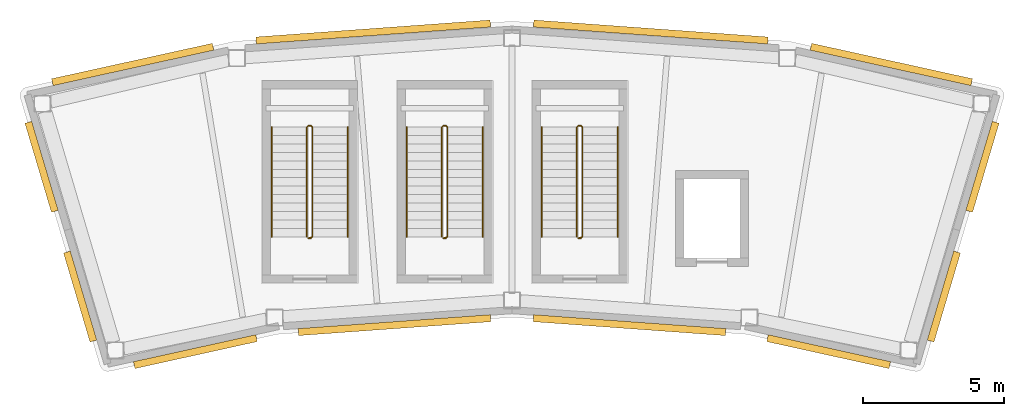
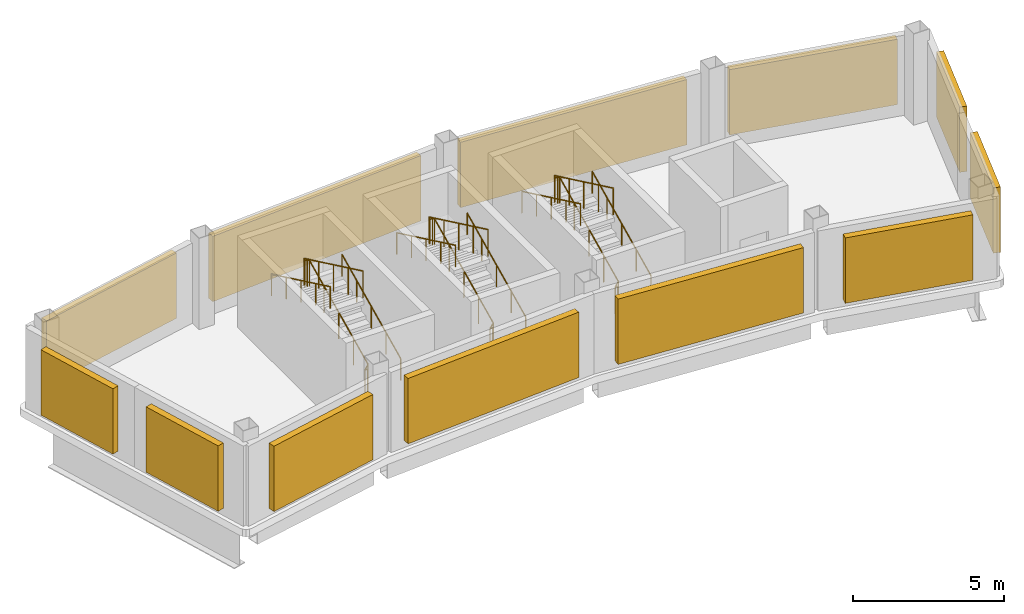
# One storey, part 3 of 3: 12 shading devices, 9 railings.
"""IFC4 building model written with IfcOpenShell, lengths in metres."""

import ifcopenshell
import ifcopenshell.guid

model = None  # the IFC model being written
_history = None  # IfcOwnerHistory: only IFC2X3 demands one
_inside = {}  # id of a spatial element -> (the spatial element, [elements in it])
_under = {}  # id of a project, library or spatial element -> (it, [spatial elements below it])
_declared = {}  # id of a project -> (the project, [libraries it declares])
_typed = {}  # id of a type object -> (the type object, [elements of that type])
_made_of = {}  # id of a material, layer set ... -> (it, [elements and type objects made of it])


def new_model(schema):
    """Start an empty IFC model of exactly this schema.

    Asked for "IFC4X3", IfcOpenShell would pick the latest addendum, in which some entities
    have other attributes; the version numbers below select the first issue.
    IFC2X3 requires an IfcOwnerHistory on every rooted entity: one is made here for all.
    """
    global model, _history
    if schema == "IFC4X3":
        model = ifcopenshell.file(schema_version=(4, 3, 0, 0))
    else:
        model = ifcopenshell.file(schema=schema)
    _inside.clear()
    _under.clear()
    _declared.clear()
    _typed.clear()
    _made_of.clear()
    _history = None
    if model.schema == "IFC2X3":
        org = make("IfcOrganization", Name="unknown")
        user = make(
            "IfcPersonAndOrganization",
            ThePerson=make("IfcPerson", FamilyName="unknown"),
            TheOrganization=org,
        )
        app = make(
            "IfcApplication",
            ApplicationDeveloper=org,
            Version="unknown",
            ApplicationFullName="unknown",
            ApplicationIdentifier="unknown",
        )
        _history = make(
            "IfcOwnerHistory",
            OwningUser=user,
            OwningApplication=app,
            ChangeAction="ADDED",
            CreationDate=0,
        )
    return model


def make(cls, **values):
    """One entity of the class cls with the attributes given. An attribute that is None is left unset."""
    return model.create_entity(
        cls, **{name: value for name, value in values.items() if value is not None}
    )


def rooted(cls, **values):
    """An entity with a GlobalId (a new one), such as an element, a storey or a relation."""
    return make(cls, GlobalId=ifcopenshell.guid.new(), OwnerHistory=_history, **values)


def si_unit(unit_type, name, prefix=None):
    """IfcSIUnit, for example si_unit("LENGTHUNIT", "METRE", prefix="MILLI")."""
    return make("IfcSIUnit", UnitType=unit_type, Prefix=prefix, Name=name)


def assignment(units):
    """IfcUnitAssignment: the units of a project."""
    return None if units is None else make("IfcUnitAssignment", Units=units)


def point(xyz):
    """IfcCartesianPoint."""
    return None if xyz is None else make("IfcCartesianPoint", Coordinates=xyz)


def direction(xyz):
    """IfcDirection."""
    return None if xyz is None else make("IfcDirection", DirectionRatios=xyz)


def frame(location, z_axis=None, x_axis=None):
    """IfcAxis2Placement3D, a coordinate frame: its origin and axes. An axis left out is left unset."""
    return make(
        "IfcAxis2Placement3D",
        Location=point(location),
        Axis=direction(z_axis),
        RefDirection=direction(x_axis),
    )


def frame_2d(location, x_axis=None):
    """IfcAxis2Placement2D, a coordinate frame in the plane: its origin and x axis."""
    return make(
        "IfcAxis2Placement2D", Location=point(location), RefDirection=direction(x_axis)
    )


def origin():
    """The frame at (0, 0, 0) with its axes left unset."""
    return frame((0.0, 0.0, 0.0))


def origin_2d():
    """The frame at (0, 0) in the plane with its x axis left unset."""
    return frame_2d((0.0, 0.0))


def place(relative_to, where):
    """IfcLocalPlacement: puts the frame where relative to a parent placement (None: the world)."""
    return make(
        "IfcLocalPlacement", PlacementRelTo=relative_to, RelativePlacement=where
    )


def context(
    kind, dimensions, precision=None, world=None, true_north=None, identifier=None
):
    """IfcGeometricRepresentationContext, for example the 3D "Model" context."""
    return make(
        "IfcGeometricRepresentationContext",
        ContextIdentifier=identifier,
        ContextType=kind,
        CoordinateSpaceDimension=dimensions,
        Precision=precision,
        WorldCoordinateSystem=world,
        TrueNorth=true_north,
    )


def subcontext(parent, identifier, kind, view, scale=None):
    """IfcGeometricRepresentationSubContext, for example "Body" below "Model"."""
    return make(
        "IfcGeometricRepresentationSubContext",
        ContextIdentifier=identifier,
        ContextType=kind,
        ParentContext=parent,
        TargetScale=scale,
        TargetView=view,
    )


def project(units=None, contexts=None):
    """IfcProject with its units and contexts."""
    return rooted(
        "IfcProject",
        Name="project",
        RepresentationContexts=contexts,
        UnitsInContext=assignment(units),
    )


def spatial(cls, under=None, at=None, **own):
    """A site, building, storey or space (cls), placed at a placement, below another one or the project."""
    s = rooted(cls, ObjectPlacement=at, **own)
    if under is not None:
        _under.setdefault(under.id(), (under, []))[1].append(s)
    return s


def profile(cls, at=None, kind="AREA", **sizes):
    """A parametric profile (cls). Its sizes go by their IFC names, for example OverallWidth=200.0."""
    return make(cls, ProfileType=kind, Position=at, **sizes)


def rectangle(**sizes):
    """IfcRectangleProfileDef."""
    return profile("IfcRectangleProfileDef", **sizes)


def circle(**sizes):
    """IfcCircleProfileDef."""
    return profile("IfcCircleProfileDef", **sizes)


def extrude(swept, where, along, depth):
    """IfcExtrudedAreaSolid: the profile swept, set in the frame where, extruded along a direction by depth."""
    return make(
        "IfcExtrudedAreaSolid",
        SweptArea=swept,
        Position=where,
        ExtrudedDirection=direction(along),
        Depth=depth,
    )


def shape(context_of_items, identifier, shape_type, items):
    """IfcShapeRepresentation: the items that make up one representation, for example the "Body"."""
    return make(
        "IfcShapeRepresentation",
        ContextOfItems=context_of_items,
        RepresentationIdentifier=identifier,
        RepresentationType=shape_type,
        Items=items,
    )


def material(Name=None, Category=None):
    """IfcMaterial."""
    return make("IfcMaterial", Name=Name, Category=Category)


def made_of(thing, what):
    """Note that an element or type object is made of a material, layer set ...; save() writes the relation."""
    if what is not None:
        _made_of.setdefault(what.id(), (what, []))[1].append(thing)
    return thing


def type_object(cls, material=None, **own):
    """A type object (cls), such as IfcWallType, which elements share."""
    return made_of(rooted(cls, **own), material)


def element(
    cls,
    number,
    at=None,
    inside=None,
    cuts=None,
    type_object=None,
    material=None,
    context=None,
    identifier="Body",
    shape_type=None,
    held_by="IfcProductDefinitionShape",
    body=None,
    shapes=None,
    **own,
):
    """One element of the class cls, such as IfcWall. Its Tag is "e" and its number.

    at: its placement. inside: the storey or other place that contains it. cuts: it is an
    opening in that element (IfcRelVoidsElement). A single representation is given by context,
    identifier, shape_type and body (its items); several are given by shapes. held_by: the class
    of the entity that holds the representations. save() writes the other relations.
    """
    e = rooted(cls, Tag="e%d" % number, ObjectPlacement=at, **own)
    if body is not None:
        shapes = [shape(context, identifier, shape_type, body)]
    if shapes is not None:
        e.Representation = make(held_by, Representations=shapes)
    if inside is not None:
        _inside.setdefault(inside.id(), (inside, []))[1].append(e)
    if cuts is not None:
        rooted(
            "IfcRelVoidsElement", RelatingBuildingElement=cuts, RelatedOpeningElement=e
        )
    if type_object is not None:
        _typed.setdefault(type_object.id(), (type_object, []))[1].append(e)
    return made_of(e, material)


def aggregate(whole, parts):
    """IfcRelAggregates: a whole, such as a stair, and the parts it consists of."""
    return rooted("IfcRelAggregates", RelatingObject=whole, RelatedObjects=parts)


def save(model, path):
    """Write the relations noted so far, then the file.

    IfcRelAggregates (storeys below a building ...), IfcRelContainedInSpatialStructure (elements
    in a storey), IfcRelDefinesByType, IfcRelAssociatesMaterial and IfcRelDeclares: one each for
    every whole, place, type object, material and project.
    """
    for whole, parts in _under.values():
        aggregate(whole, parts)
    for where, things in _inside.values():
        rooted(
            "IfcRelContainedInSpatialStructure",
            RelatedElements=things,
            RelatingStructure=where,
        )
    for kind, things in _typed.values():
        rooted("IfcRelDefinesByType", RelatedObjects=things, RelatingType=kind)
    for what, things in _made_of.values():
        rooted("IfcRelAssociatesMaterial", RelatedObjects=things, RelatingMaterial=what)
    for by, libraries in _declared.values():
        rooted("IfcRelDeclares", RelatingContext=by, RelatedDefinitions=libraries)
    model.write(path)


model = new_model("IFC4")

# Units and contexts
model_context = context("Model", 3, precision=1e-05, world=origin(), true_north=direction((0.0, 1.0)))
body_context = subcontext(model_context, "Body", "Model", "MODEL_VIEW")
ifc_project = project(units=[si_unit("LENGTHUNIT", "METRE"), si_unit("AREAUNIT", "SQUARE_METRE"), si_unit("VOLUMEUNIT", "CUBIC_METRE"), si_unit("PLANEANGLEUNIT", "RADIAN"), si_unit("MASSUNIT", "GRAM", prefix="KILO")], contexts=[model_context])

# Site, building, storey
site_placement = place(None, origin())
site = spatial("IfcSite", under=ifc_project, at=site_placement, CompositionType="ELEMENT")
building_placement = place(site_placement, origin())
building = spatial("IfcBuilding", under=site, at=building_placement, Name="Tuul Gate Civic Tower", CompositionType="ELEMENT")
storey_placement = place(building_placement, frame((0.0, 0.0, 380.10009765625)))
storey = spatial("IfcBuildingStorey", under=building, at=storey_placement, Name="Crown tier 3 upper", CompositionType="ELEMENT", Elevation=380.10009765625)

# Shading devices
ifc_material_1 = material(Name="Aluminium louvre", Category="aluminium")
shading_device_type = type_object("IfcShadingDeviceType", Name="Louvre panel", PredefinedType="USERDEFINED", material=ifc_material_1)
shading_device_1_placement = place(storey_placement, frame((15.677490234375, 6.8759765625, 0.300048828125), z_axis=(0.0, 0.0, 1.0), x_axis=(0.215297760919, 0.97654844946, 0.0)))
element("IfcShadingDevice", 1, at=shading_device_1_placement, inside=storey, type_object=shading_device_type, Name="Louvre panel", ObjectType="LOUVRE", PredefinedType="USERDEFINED", context=body_context, shape_type="SweptSolid", body=[
    extrude(rectangle(XDim=0.25, YDim=5.85009765625, at=origin_2d()), origin(), (0.0, 0.0, 1.0), 2.64990234375),
])
for number, where, z_axis, x_axis, name in (
    (2, (7.125, 8.03125, 0.300048828125), (0.0, 0.0, 1.0), (0.072211474614, 0.997389343704, 0.0), "Louvre panel"),
    (3, (-2.740966796875, 8.03125, 0.300048828125), (0.0, 0.0, 1.0), (-0.072211474614, 0.997389343704, 0.0), "Louvre panel"),
):
    element("IfcShadingDevice", number, at=place(storey_placement, frame(where, z_axis=z_axis, x_axis=x_axis)), inside=storey, type_object=shading_device_type, Name=name, ObjectType="LOUVRE", PredefinedType="USERDEFINED", context=body_context, shape_type="SweptSolid", body=[
        extrude(rectangle(XDim=0.25, YDim=8.35009765625, at=origin_2d()), origin(), (0.0, 0.0, 1.0), 2.64990234375),
    ])
shading_device_2_placement = place(storey_placement, frame((-11.29345703125, 6.8759765625, 0.300048828125), z_axis=(0.0, 0.0, 1.0), x_axis=(-0.215297760919, 0.97654844946, 0.0)))
element("IfcShadingDevice", 4, at=shading_device_2_placement, inside=storey, type_object=shading_device_type, Name="Louvre panel", ObjectType="LOUVRE", PredefinedType="USERDEFINED", context=body_context, shape_type="SweptSolid", body=[
    extrude(rectangle(XDim=0.25, YDim=5.85009765625, at=origin_2d()), origin(), (0.0, 0.0, 1.0), 2.64990234375),
])
for number, where, z_axis, x_axis, name in (
    (5, (-14.533447265625, 3.23779296875, 0.300048828125), (0.0, 0.0, 1.0), (-0.95847574458, -0.285174064481, 0.0), "Louvre panel"),
    (6, (-13.1611328125, -1.375244140625, 0.300048828125), (0.0, 0.0, 1.0), (-0.95847574458, -0.285174064481, 0.0), "Louvre panel"),
):
    element("IfcShadingDevice", number, at=place(storey_placement, frame(where, z_axis=z_axis, x_axis=x_axis)), inside=storey, type_object=shading_device_type, Name=name, ObjectType="LOUVRE", PredefinedType="USERDEFINED", context=body_context, shape_type="SweptSolid", body=[
        extrude(rectangle(XDim=0.25, YDim=3.300048828125, at=origin_2d()), origin(), (0.0, 0.0, 1.0), 2.64990234375),
    ])
shading_device_3_placement = place(storey_placement, frame((-9.065673828125, -3.33349609375, 0.300048828125), z_axis=(0.0, 0.0, 1.0), x_axis=(0.215242614215, -0.976560605916, 0.0)))
element("IfcShadingDevice", 7, at=shading_device_3_placement, inside=storey, type_object=shading_device_type, Name="Louvre panel", ObjectType="LOUVRE", PredefinedType="USERDEFINED", context=body_context, shape_type="SweptSolid", body=[
    extrude(rectangle(XDim=0.25, YDim=4.449951171875, at=origin_2d()), origin(), (0.0, 0.0, 1.0), 2.64990234375),
])
for number, where, z_axis, x_axis, name in (
    (8, (-1.986083984375, -2.3916015625, 0.300048828125), (0.0, 0.0, 1.0), (0.072178099624, -0.997391759508, 0.0), "Louvre panel"),
    (9, (6.369873046875, -2.3916015625, 0.300048828125), (0.0, 0.0, 1.0), (-0.072178099624, -0.997391759508, 0.0), "Louvre panel"),
):
    element("IfcShadingDevice", number, at=place(storey_placement, frame(where, z_axis=z_axis, x_axis=x_axis)), inside=storey, type_object=shading_device_type, Name=name, ObjectType="LOUVRE", PredefinedType="USERDEFINED", context=body_context, shape_type="SweptSolid", body=[
        extrude(rectangle(XDim=0.25, YDim=6.85009765625, at=origin_2d()), origin(), (0.0, 0.0, 1.0), 2.64990234375),
    ])
shading_device_4_placement = place(storey_placement, frame((13.44970703125, -3.33349609375, 0.300048828125), z_axis=(0.0, 0.0, 1.0), x_axis=(-0.215242614215, -0.976560605916, 0.0)))
element("IfcShadingDevice", 10, at=shading_device_4_placement, inside=storey, type_object=shading_device_type, Name="Louvre panel", ObjectType="LOUVRE", PredefinedType="USERDEFINED", context=body_context, shape_type="SweptSolid", body=[
    extrude(rectangle(XDim=0.25, YDim=4.449951171875, at=origin_2d()), origin(), (0.0, 0.0, 1.0), 2.64990234375),
])
for number, where, z_axis, x_axis, name in (
    (11, (17.545166015625, -1.375244140625, 0.300048828125), (0.0, 0.0, 1.0), (0.95847574458, -0.285174064481, 0.0), "Louvre panel"),
    (12, (18.91748046875, 3.23779296875, 0.300048828125), (0.0, 0.0, 1.0), (0.95847574458, -0.285174064481, 0.0), "Louvre panel"),
):
    element("IfcShadingDevice", number, at=place(storey_placement, frame(where, z_axis=z_axis, x_axis=x_axis)), inside=storey, type_object=shading_device_type, Name=name, ObjectType="LOUVRE", PredefinedType="USERDEFINED", context=body_context, shape_type="SweptSolid", body=[
        extrude(rectangle(XDim=0.25, YDim=3.300048828125, at=origin_2d()), origin(), (0.0, 0.0, 1.0), 2.64990234375),
    ])

# Railings
ifc_material_2 = material(Name="Painted steel", Category="steel")
railing_type_1 = type_object("IfcRailingType", Name="Stair guard", PredefinedType="GUARDRAIL", material=ifc_material_2)
railing_1_placement = place(storey_placement, frame((-4.949951171875, 0.699951171875, 0.0)))
element("IfcRailing", 13, at=railing_1_placement, inside=storey, type_object=railing_type_1, Name="Crown tier 3 upper ST-5 stair guard 1", PredefinedType="GUARDRAIL", context=body_context, shape_type="SweptSolid", body=[
    extrude(circle(Radius=0.02392578125, at=origin_2d()), frame((0.0, 0.0, 1.076171875), z_axis=(-1.0, 0.0, 0.0), x_axis=(0.0, -1.0, 0.0)), (0.0, 0.0, 1.0), 0.10009765625),
    extrude(circle(Radius=0.02392578125, at=origin_2d()), frame((-0.10009765625, 0.0, 1.076171875), z_axis=(0.704307497325, 0.234769165775, 0.669951034041), x_axis=(-0.316227766017, 0.948683298051, 0.0)), (0.0, 0.0, 1.0), 0.213134765625),
    extrude(circle(Radius=0.02392578125, at=origin_2d()), frame((0.050048828125, 0.050048828125, 1.21875), z_axis=(0.0, 0.902853205547, 0.429948937937), x_axis=(-1.0, 0.0, 0.0)), (0.0, 0.0, 1.0), 4.319580078125),
    extrude(circle(Radius=0.02392578125, at=origin_2d()), frame((0.050048828125, 3.949951171875, 3.076171875), z_axis=(-0.707106781187, 0.707106781187, 0.0), x_axis=(-0.707106781187, -0.707106781187, 0.0)), (0.0, 0.0, 1.0), 0.07080078125),
    extrude(circle(Radius=0.02392578125, at=origin_2d()), frame((0.0, 4.0, 3.076171875), z_axis=(-1.0, 0.0, 0.0), x_axis=(0.0, -1.0, 0.0)), (0.0, 0.0, 1.0), 0.10009765625),
    extrude(circle(Radius=0.02392578125, at=origin_2d()), frame((-0.10009765625, 4.0, 3.076171875), z_axis=(-0.313985020601, -0.313985020601, 0.896006034397), x_axis=(0.707106781187, -0.707106781187, 0.0)), (0.0, 0.0, 1.0), 0.159423828125),
    extrude(circle(Radius=0.02392578125, at=origin_2d()), frame((-0.150146484375, 3.949951171875, 3.21875), z_axis=(0.0, -0.902853205547, 0.429948937937), x_axis=(1.0, 0.0, 0.0)), (0.0, 0.0, 1.0), 4.319580078125),
    extrude(circle(Radius=0.02099609375, at=origin_2d()), origin(), (0.0, 0.0, 1.0), 1.052001953125),
    extrude(circle(Radius=0.02099609375, at=origin_2d()), frame((-0.10009765625, 0.0, 0.0)), (0.0, 0.0, 1.0), 1.052001953125),
    extrude(circle(Radius=0.02099609375, at=origin_2d()), frame((0.050048828125, 0.050048828125, 0.142822265625)), (0.0, 0.0, 1.0), 1.052001953125),
    extrude(circle(Radius=0.02099609375, at=origin_2d()), frame((0.050048828125, 1.02490234375, 0.607177734375)), (0.0, 0.0, 1.0), 1.052001953125),
    extrude(circle(Radius=0.02099609375, at=origin_2d()), frame((0.050048828125, 2.0, 1.0712890625)), (0.0, 0.0, 1.0), 1.052001953125),
    extrude(circle(Radius=0.02099609375, at=origin_2d()), frame((0.050048828125, 2.97509765625, 1.53564453125)), (0.0, 0.0, 1.0), 1.052001953125),
    extrude(circle(Radius=0.02099609375, at=origin_2d()), frame((0.050048828125, 3.949951171875, 2.0)), (0.0, 0.0, 1.0), 1.052001953125),
    extrude(circle(Radius=0.02099609375, at=origin_2d()), frame((0.0, 4.0, 2.0)), (0.0, 0.0, 1.0), 1.052001953125),
    extrude(circle(Radius=0.02099609375, at=origin_2d()), frame((-0.10009765625, 4.0, 2.0)), (0.0, 0.0, 1.0), 1.052001953125),
    extrude(circle(Radius=0.02099609375, at=origin_2d()), frame((-0.150146484375, 3.949951171875, 2.142822265625)), (0.0, 0.0, 1.0), 1.052001953125),
    extrude(circle(Radius=0.02099609375, at=origin_2d()), frame((-0.150146484375, 2.97509765625, 2.607177734375)), (0.0, 0.0, 1.0), 1.052001953125),
    extrude(circle(Radius=0.02099609375, at=origin_2d()), frame((-0.150146484375, 2.0, 3.0712890625)), (0.0, 0.0, 1.0), 1.052001953125),
    extrude(circle(Radius=0.02099609375, at=origin_2d()), frame((-0.150146484375, 1.02490234375, 3.53564453125)), (0.0, 0.0, 1.0), 1.052001953125),
    extrude(circle(Radius=0.02099609375, at=origin_2d()), frame((-0.150146484375, 0.050048828125, 4.0)), (0.0, 0.0, 1.0), 1.052001953125),
])
railing_2_placement = place(storey_placement, frame((-0.14990234375, 0.699951171875, 0.0)))
element("IfcRailing", 14, at=railing_2_placement, inside=storey, type_object=railing_type_1, Name="Crown tier 3 upper ST-6 stair guard 1", PredefinedType="GUARDRAIL", context=body_context, shape_type="SweptSolid", body=[
    extrude(circle(Radius=0.02392578125, at=origin_2d()), frame((0.0, 0.0, 1.076171875), z_axis=(-1.0, 0.0, 0.0), x_axis=(0.0, -1.0, 0.0)), (0.0, 0.0, 1.0), 0.10009765625),
    extrude(circle(Radius=0.02392578125, at=origin_2d()), frame((-0.10009765625, 0.0, 1.076171875), z_axis=(0.703729666097, 0.234958601873, 0.670491619978), x_axis=(-0.316691178788, 0.948528701346, 0.0)), (0.0, 0.0, 1.0), 0.212890625),
    extrude(circle(Radius=0.02392578125, at=origin_2d()), frame((0.0498046875, 0.050048828125, 1.21875), z_axis=(0.0, 0.902853205547, 0.429948937937), x_axis=(-1.0, 0.0, 0.0)), (0.0, 0.0, 1.0), 4.319580078125),
    extrude(circle(Radius=0.02392578125, at=origin_2d()), frame((0.0498046875, 3.949951171875, 3.076171875), z_axis=(-0.705375805398, 0.708833529934, 0.0), x_axis=(-0.708833529934, -0.705375805398, 0.0)), (0.0, 0.0, 1.0), 0.070556640625),
    extrude(circle(Radius=0.02392578125, at=origin_2d()), frame((0.0, 4.0, 3.076171875), z_axis=(-1.0, 0.0, 0.0), x_axis=(0.0, -1.0, 0.0)), (0.0, 0.0, 1.0), 0.10009765625),
    extrude(circle(Radius=0.02392578125, at=origin_2d()), frame((-0.10009765625, 4.0, 3.076171875), z_axis=(-0.313985020601, -0.313985020601, 0.896006034397), x_axis=(0.707106781187, -0.707106781187, 0.0)), (0.0, 0.0, 1.0), 0.159423828125),
    extrude(circle(Radius=0.02392578125, at=origin_2d()), frame((-0.150146484375, 3.949951171875, 3.21875), z_axis=(0.0, -0.902853205547, 0.429948937937), x_axis=(1.0, 0.0, 0.0)), (0.0, 0.0, 1.0), 4.319580078125),
    extrude(circle(Radius=0.02099609375, at=origin_2d()), origin(), (0.0, 0.0, 1.0), 1.052001953125),
    extrude(circle(Radius=0.02099609375, at=origin_2d()), frame((-0.10009765625, 0.0, 0.0)), (0.0, 0.0, 1.0), 1.052001953125),
    extrude(circle(Radius=0.02099609375, at=origin_2d()), frame((0.0498046875, 0.050048828125, 0.142822265625)), (0.0, 0.0, 1.0), 1.052001953125),
    extrude(circle(Radius=0.02099609375, at=origin_2d()), frame((0.0498046875, 1.02490234375, 0.607177734375)), (0.0, 0.0, 1.0), 1.052001953125),
    extrude(circle(Radius=0.02099609375, at=origin_2d()), frame((0.0498046875, 2.0, 1.0712890625)), (0.0, 0.0, 1.0), 1.052001953125),
    extrude(circle(Radius=0.02099609375, at=origin_2d()), frame((0.0498046875, 2.97509765625, 1.53564453125)), (0.0, 0.0, 1.0), 1.052001953125),
    extrude(circle(Radius=0.02099609375, at=origin_2d()), frame((0.0498046875, 3.949951171875, 2.0)), (0.0, 0.0, 1.0), 1.052001953125),
    extrude(circle(Radius=0.02099609375, at=origin_2d()), frame((0.0, 4.0, 2.0)), (0.0, 0.0, 1.0), 1.052001953125),
    extrude(circle(Radius=0.02099609375, at=origin_2d()), frame((-0.10009765625, 4.0, 2.0)), (0.0, 0.0, 1.0), 1.052001953125),
    extrude(circle(Radius=0.02099609375, at=origin_2d()), frame((-0.150146484375, 3.949951171875, 2.142822265625)), (0.0, 0.0, 1.0), 1.052001953125),
    extrude(circle(Radius=0.02099609375, at=origin_2d()), frame((-0.150146484375, 2.97509765625, 2.607177734375)), (0.0, 0.0, 1.0), 1.052001953125),
    extrude(circle(Radius=0.02099609375, at=origin_2d()), frame((-0.150146484375, 2.0, 3.0712890625)), (0.0, 0.0, 1.0), 1.052001953125),
    extrude(circle(Radius=0.02099609375, at=origin_2d()), frame((-0.150146484375, 1.02490234375, 3.53564453125)), (0.0, 0.0, 1.0), 1.052001953125),
    extrude(circle(Radius=0.02099609375, at=origin_2d()), frame((-0.150146484375, 0.050048828125, 4.0)), (0.0, 0.0, 1.0), 1.052001953125),
])
railing_3_placement = place(storey_placement, frame((4.64990234375, 0.699951171875, 0.0)))
element("IfcRailing", 15, at=railing_3_placement, inside=storey, type_object=railing_type_1, Name="Crown tier 3 upper ST-7 stair guard 1", PredefinedType="GUARDRAIL", context=body_context, shape_type="SweptSolid", body=[
    extrude(circle(Radius=0.02392578125, at=origin_2d()), frame((0.0, 0.0, 1.076171875), z_axis=(-1.0, 0.0, 0.0), x_axis=(0.0, -1.0, 0.0)), (0.0, 0.0, 1.0), 0.099853515625),
    extrude(circle(Radius=0.02392578125, at=origin_2d()), frame((-0.099853515625, 0.0, 1.076171875), z_axis=(0.703729666097, 0.234958601873, 0.670491619978), x_axis=(-0.316691178788, 0.948528701346, 0.0)), (0.0, 0.0, 1.0), 0.212890625),
    extrude(circle(Radius=0.02392578125, at=origin_2d()), frame((0.050048828125, 0.050048828125, 1.21875), z_axis=(0.0, 0.902853205547, 0.429948937937), x_axis=(-1.0, 0.0, 0.0)), (0.0, 0.0, 1.0), 4.319580078125),
    extrude(circle(Radius=0.02392578125, at=origin_2d()), frame((0.050048828125, 3.949951171875, 3.076171875), z_axis=(-0.707106781187, 0.707106781187, 0.0), x_axis=(-0.707106781187, -0.707106781187, 0.0)), (0.0, 0.0, 1.0), 0.07080078125),
    extrude(circle(Radius=0.02392578125, at=origin_2d()), frame((0.0, 4.0, 3.076171875), z_axis=(-1.0, 0.0, 0.0), x_axis=(0.0, -1.0, 0.0)), (0.0, 0.0, 1.0), 0.099853515625),
    extrude(circle(Radius=0.02392578125, at=origin_2d()), frame((-0.099853515625, 4.0, 3.076171875), z_axis=(-0.313985020601, -0.313985020601, 0.896006034397), x_axis=(0.707106781187, -0.707106781187, 0.0)), (0.0, 0.0, 1.0), 0.159423828125),
    extrude(circle(Radius=0.02392578125, at=origin_2d()), frame((-0.14990234375, 3.949951171875, 3.21875), z_axis=(0.0, -0.902853205547, 0.429948937937), x_axis=(1.0, 0.0, 0.0)), (0.0, 0.0, 1.0), 4.319580078125),
    extrude(circle(Radius=0.02099609375, at=origin_2d()), origin(), (0.0, 0.0, 1.0), 1.052001953125),
    extrude(circle(Radius=0.02099609375, at=origin_2d()), frame((-0.099853515625, 0.0, 0.0)), (0.0, 0.0, 1.0), 1.052001953125),
    extrude(circle(Radius=0.02099609375, at=origin_2d()), frame((0.050048828125, 0.050048828125, 0.142822265625)), (0.0, 0.0, 1.0), 1.052001953125),
    extrude(circle(Radius=0.02099609375, at=origin_2d()), frame((0.050048828125, 1.02490234375, 0.607177734375)), (0.0, 0.0, 1.0), 1.052001953125),
    extrude(circle(Radius=0.02099609375, at=origin_2d()), frame((0.050048828125, 2.0, 1.0712890625)), (0.0, 0.0, 1.0), 1.052001953125),
    extrude(circle(Radius=0.02099609375, at=origin_2d()), frame((0.050048828125, 2.97509765625, 1.53564453125)), (0.0, 0.0, 1.0), 1.052001953125),
    extrude(circle(Radius=0.02099609375, at=origin_2d()), frame((0.050048828125, 3.949951171875, 2.0)), (0.0, 0.0, 1.0), 1.052001953125),
    extrude(circle(Radius=0.02099609375, at=origin_2d()), frame((0.0, 4.0, 2.0)), (0.0, 0.0, 1.0), 1.052001953125),
    extrude(circle(Radius=0.02099609375, at=origin_2d()), frame((-0.099853515625, 4.0, 2.0)), (0.0, 0.0, 1.0), 1.052001953125),
    extrude(circle(Radius=0.02099609375, at=origin_2d()), frame((-0.14990234375, 3.949951171875, 2.142822265625)), (0.0, 0.0, 1.0), 1.052001953125),
    extrude(circle(Radius=0.02099609375, at=origin_2d()), frame((-0.14990234375, 2.97509765625, 2.607177734375)), (0.0, 0.0, 1.0), 1.052001953125),
    extrude(circle(Radius=0.02099609375, at=origin_2d()), frame((-0.14990234375, 2.0, 3.0712890625)), (0.0, 0.0, 1.0), 1.052001953125),
    extrude(circle(Radius=0.02099609375, at=origin_2d()), frame((-0.14990234375, 1.02490234375, 3.53564453125)), (0.0, 0.0, 1.0), 1.052001953125),
    extrude(circle(Radius=0.02099609375, at=origin_2d()), frame((-0.14990234375, 0.050048828125, 4.0)), (0.0, 0.0, 1.0), 1.052001953125),
])
ifc_material_3 = material(Name="Painted steel", Category="steel")
railing_type_2 = type_object("IfcRailingType", Name="Stair handrail", PredefinedType="HANDRAIL", material=ifc_material_3)
railing_4_placement = place(storey_placement, frame((-3.64990234375, 0.75, 0.142822265625)))
element("IfcRailing", 16, at=railing_4_placement, inside=storey, type_object=railing_type_2, Name="Crown tier 3 upper ST-5 stair handrail 1", PredefinedType="HANDRAIL", context=body_context, shape_type="SweptSolid", body=[
    extrude(circle(Radius=0.02392578125, at=origin_2d()), frame((0.0, 0.0, 0.8759765625), z_axis=(0.0, 0.902853205547, 0.429948937937), x_axis=(-1.0, 0.0, 0.0)), (0.0, 0.0, 1.0), 4.319580078125),
    extrude(circle(Radius=0.02099609375, at=origin_2d()), origin(), (0.0, 0.0, 1.0), 0.851806640625),
    extrude(circle(Radius=0.02099609375, at=origin_2d()), frame((0.0, 0.97509765625, 0.46435546875)), (0.0, 0.0, 1.0), 0.851806640625),
    extrude(circle(Radius=0.02099609375, at=origin_2d()), frame((0.0, 1.949951171875, 0.9287109375)), (0.0, 0.0, 1.0), 0.851806640625),
    extrude(circle(Radius=0.02099609375, at=origin_2d()), frame((0.0, 2.9248046875, 1.392822265625)), (0.0, 0.0, 1.0), 0.851806640625),
    extrude(circle(Radius=0.02099609375, at=origin_2d()), frame((0.0, 3.89990234375, 1.857177734375)), (0.0, 0.0, 1.0), 0.851806640625),
])
railing_5_placement = place(storey_placement, frame((-6.35009765625, 4.64990234375, 2.142822265625)))
element("IfcRailing", 17, at=railing_5_placement, inside=storey, type_object=railing_type_2, Name="Crown tier 3 upper ST-5 stair handrail 2", PredefinedType="HANDRAIL", context=body_context, shape_type="SweptSolid", body=[
    extrude(circle(Radius=0.02392578125, at=origin_2d()), frame((0.0, 0.0, 0.8759765625), z_axis=(0.0, -0.902853205547, 0.429948937937), x_axis=(1.0, 0.0, 0.0)), (0.0, 0.0, 1.0), 4.319580078125),
    extrude(circle(Radius=0.02099609375, at=origin_2d()), origin(), (0.0, 0.0, 1.0), 0.851806640625),
    extrude(circle(Radius=0.02099609375, at=origin_2d()), frame((0.0, -0.97509765625, 0.46435546875)), (0.0, 0.0, 1.0), 0.851806640625),
    extrude(circle(Radius=0.02099609375, at=origin_2d()), frame((0.0, -1.949951171875, 0.9287109375)), (0.0, 0.0, 1.0), 0.851806640625),
    extrude(circle(Radius=0.02099609375, at=origin_2d()), frame((0.0, -2.9248046875, 1.392822265625)), (0.0, 0.0, 1.0), 0.851806640625),
    extrude(circle(Radius=0.02099609375, at=origin_2d()), frame((0.0, -3.89990234375, 1.857177734375)), (0.0, 0.0, 1.0), 0.851806640625),
])
railing_6_placement = place(storey_placement, frame((1.14990234375, 0.75, 0.142822265625)))
element("IfcRailing", 18, at=railing_6_placement, inside=storey, type_object=railing_type_2, Name="Crown tier 3 upper ST-6 stair handrail 1", PredefinedType="HANDRAIL", context=body_context, shape_type="SweptSolid", body=[
    extrude(circle(Radius=0.02392578125, at=origin_2d()), frame((0.0, 0.0, 0.8759765625), z_axis=(0.0, 0.902853205547, 0.429948937937), x_axis=(-1.0, 0.0, 0.0)), (0.0, 0.0, 1.0), 4.319580078125),
    extrude(circle(Radius=0.02099609375, at=origin_2d()), origin(), (0.0, 0.0, 1.0), 0.851806640625),
    extrude(circle(Radius=0.02099609375, at=origin_2d()), frame((0.0, 0.97509765625, 0.46435546875)), (0.0, 0.0, 1.0), 0.851806640625),
    extrude(circle(Radius=0.02099609375, at=origin_2d()), frame((0.0, 1.949951171875, 0.9287109375)), (0.0, 0.0, 1.0), 0.851806640625),
    extrude(circle(Radius=0.02099609375, at=origin_2d()), frame((0.0, 2.9248046875, 1.392822265625)), (0.0, 0.0, 1.0), 0.851806640625),
    extrude(circle(Radius=0.02099609375, at=origin_2d()), frame((0.0, 3.89990234375, 1.857177734375)), (0.0, 0.0, 1.0), 0.851806640625),
])
railing_7_placement = place(storey_placement, frame((-1.550048828125, 4.64990234375, 2.142822265625)))
element("IfcRailing", 19, at=railing_7_placement, inside=storey, type_object=railing_type_2, Name="Crown tier 3 upper ST-6 stair handrail 2", PredefinedType="HANDRAIL", context=body_context, shape_type="SweptSolid", body=[
    extrude(circle(Radius=0.02392578125, at=origin_2d()), frame((0.0, 0.0, 0.8759765625), z_axis=(0.0, -0.902853205547, 0.429948937937), x_axis=(1.0, 0.0, 0.0)), (0.0, 0.0, 1.0), 4.319580078125),
    extrude(circle(Radius=0.02099609375, at=origin_2d()), origin(), (0.0, 0.0, 1.0), 0.851806640625),
    extrude(circle(Radius=0.02099609375, at=origin_2d()), frame((0.0, -0.97509765625, 0.46435546875)), (0.0, 0.0, 1.0), 0.851806640625),
    extrude(circle(Radius=0.02099609375, at=origin_2d()), frame((0.0, -1.949951171875, 0.9287109375)), (0.0, 0.0, 1.0), 0.851806640625),
    extrude(circle(Radius=0.02099609375, at=origin_2d()), frame((0.0, -2.9248046875, 1.392822265625)), (0.0, 0.0, 1.0), 0.851806640625),
    extrude(circle(Radius=0.02099609375, at=origin_2d()), frame((0.0, -3.89990234375, 1.857177734375)), (0.0, 0.0, 1.0), 0.851806640625),
])
railing_8_placement = place(storey_placement, frame((5.949951171875, 0.75, 0.142822265625)))
element("IfcRailing", 20, at=railing_8_placement, inside=storey, type_object=railing_type_2, Name="Crown tier 3 upper ST-7 stair handrail 1", PredefinedType="HANDRAIL", context=body_context, shape_type="SweptSolid", body=[
    extrude(circle(Radius=0.02392578125, at=origin_2d()), frame((0.0, 0.0, 0.8759765625), z_axis=(0.0, 0.902853205547, 0.429948937937), x_axis=(-1.0, 0.0, 0.0)), (0.0, 0.0, 1.0), 4.319580078125),
    extrude(circle(Radius=0.02099609375, at=origin_2d()), origin(), (0.0, 0.0, 1.0), 0.851806640625),
    extrude(circle(Radius=0.02099609375, at=origin_2d()), frame((0.0, 0.97509765625, 0.46435546875)), (0.0, 0.0, 1.0), 0.851806640625),
    extrude(circle(Radius=0.02099609375, at=origin_2d()), frame((0.0, 1.949951171875, 0.9287109375)), (0.0, 0.0, 1.0), 0.851806640625),
    extrude(circle(Radius=0.02099609375, at=origin_2d()), frame((0.0, 2.9248046875, 1.392822265625)), (0.0, 0.0, 1.0), 0.851806640625),
    extrude(circle(Radius=0.02099609375, at=origin_2d()), frame((0.0, 3.89990234375, 1.857177734375)), (0.0, 0.0, 1.0), 0.851806640625),
])
railing_9_placement = place(storey_placement, frame((3.25, 4.64990234375, 2.142822265625)))
element("IfcRailing", 21, at=railing_9_placement, inside=storey, type_object=railing_type_2, Name="Crown tier 3 upper ST-7 stair handrail 2", PredefinedType="HANDRAIL", context=body_context, shape_type="SweptSolid", body=[
    extrude(circle(Radius=0.02392578125, at=origin_2d()), frame((0.0, 0.0, 0.8759765625), z_axis=(0.0, -0.902853205547, 0.429948937937), x_axis=(1.0, 0.0, 0.0)), (0.0, 0.0, 1.0), 4.319580078125),
    extrude(circle(Radius=0.02099609375, at=origin_2d()), origin(), (0.0, 0.0, 1.0), 0.851806640625),
    extrude(circle(Radius=0.02099609375, at=origin_2d()), frame((0.0, -0.97509765625, 0.46435546875)), (0.0, 0.0, 1.0), 0.851806640625),
    extrude(circle(Radius=0.02099609375, at=origin_2d()), frame((0.0, -1.949951171875, 0.9287109375)), (0.0, 0.0, 1.0), 0.851806640625),
    extrude(circle(Radius=0.02099609375, at=origin_2d()), frame((0.0, -2.9248046875, 1.392822265625)), (0.0, 0.0, 1.0), 0.851806640625),
    extrude(circle(Radius=0.02099609375, at=origin_2d()), frame((0.0, -3.89990234375, 1.857177734375)), (0.0, 0.0, 1.0), 0.851806640625),
])

save(model, "model.ifc")
